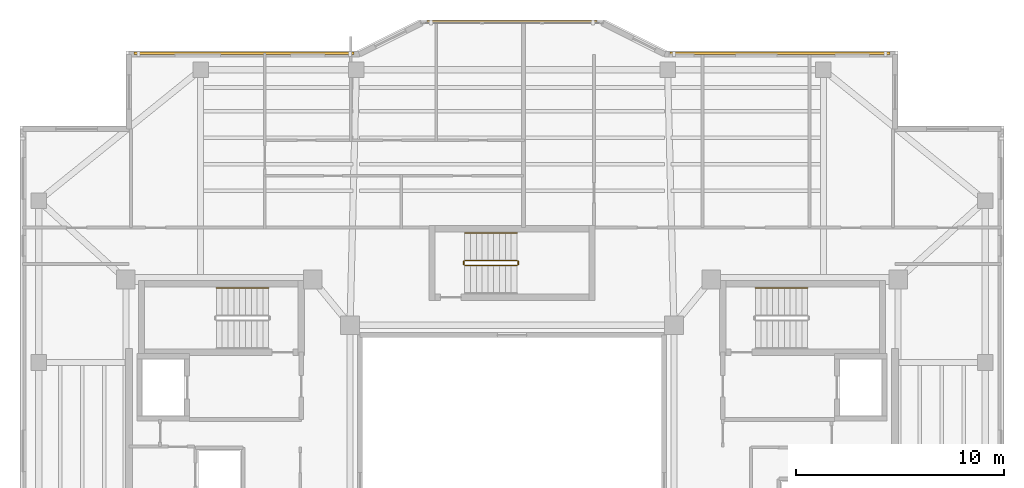
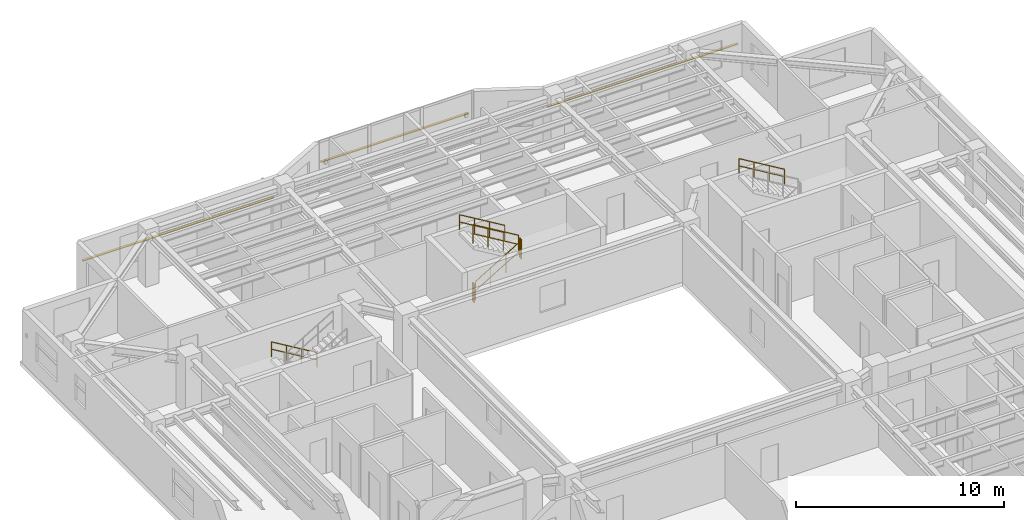
# One storey, part 13 of 13: 7 railings, 3 shading devices.
"""IFC4 building model written with IfcOpenShell, lengths in metres."""

from ifc_helpers import new_model, si_unit, direction, frame, origin, origin_2d, place, context, subcontext, project, spatial, rectangle, circle, extrude, material, material_profile, profile_set, type_object, element, save


model = new_model("IFC4")

# Units and contexts
model_context = context("Model", 3, precision=1e-05, world=origin(), true_north=direction((0.0, 1.0)))
body_context = subcontext(model_context, "Body", "Model", "MODEL_VIEW")
ifc_project = project(units=[si_unit("LENGTHUNIT", "METRE"), si_unit("AREAUNIT", "SQUARE_METRE"), si_unit("VOLUMEUNIT", "CUBIC_METRE"), si_unit("PLANEANGLEUNIT", "RADIAN"), si_unit("MASSUNIT", "GRAM", prefix="KILO")], contexts=[model_context])

# Site, building, storey
site_placement = place(None, origin())
site = spatial("IfcSite", under=ifc_project, at=site_placement, CompositionType="ELEMENT")
building_placement = place(site_placement, origin())
building = spatial("IfcBuilding", under=site, at=building_placement, Name="Tarnavaz Court Tower", CompositionType="ELEMENT")
storey_placement = place(building_placement, frame((0.0, 0.0, 196.949951171875)))
storey = spatial("IfcBuildingStorey", under=building, at=storey_placement, Name="L53", CompositionType="ELEMENT", Elevation=196.949951171875)

# Railings
ifc_material_1 = material(Name="Brushed Stainless Steel", Category="steel")
railing_type_1 = type_object("IfcRailingType", Name="RL-HANDRAIL-900", PredefinedType="HANDRAIL", material=ifc_material_1)
for number, where, name in (
    (1, (-11.719970703125, 9.590087890625, 0.16748046875), "L53 ST-W1 stair handrail 1"),
    (2, (14.239990234375, 9.590087890625, 1.842529296875), "L53 ST-E1 stair handrail 2"),
    (3, (0.239990234375, 12.239990234375, 1.842529296875), "L53 ST-N1 stair handrail 2"),
):
    element("IfcRailing", number, at=place(storey_placement, frame(where)), inside=storey, type_object=railing_type_1, Name=name, PredefinedType="HANDRAIL", context=body_context, shape_type="SweptSolid", body=[
        extrude(circle(Radius=0.02392578125, at=origin_2d()), frame((0.0, 0.0, 0.8759765625), z_axis=(-0.858159760407, 0.0, 0.513382728203), x_axis=(0.0, -1.0, 0.0)), (0.0, 0.0, 1.0), 2.9365234375),
        extrude(circle(Radius=0.02392578125, at=origin_2d()), frame((0.0, 0.0, 0.449951171875), z_axis=(-0.858159760407, 0.0, 0.513382728203), x_axis=(0.0, -1.0, 0.0)), (0.0, 0.0, 1.0), 2.9365234375),
        extrude(circle(Radius=0.02099609375, at=origin_2d()), origin(), (0.0, 0.0, 1.0), 0.851806640625),
        extrude(circle(Radius=0.02099609375, at=origin_2d()), frame((-0.840087890625, 0.0, 0.50244140625)), (0.0, 0.0, 1.0), 0.851806640625),
        extrude(circle(Radius=0.02099609375, at=origin_2d()), frame((-1.679931640625, 0.0, 1.005126953125)), (0.0, 0.0, 1.0), 0.851806640625),
        extrude(circle(Radius=0.02099609375, at=origin_2d()), frame((-2.52001953125, 0.0, 1.507568359375)), (0.0, 0.0, 1.0), 0.851806640625),
    ])
ifc_material_2 = material(Name="Galvanized Painted Tubular Steel", Category="steel")
railing_type_2 = type_object("IfcRailingType", Name="RL-STGUARD-1120", PredefinedType="GUARDRAIL", material=ifc_material_2)
railing_1_placement = place(storey_placement, frame((-2.280029296875, 10.669921875, 0.16748046875)))
element("IfcRailing", 4, at=railing_1_placement, inside=storey, type_object=railing_type_2, Name="L53 ST-N1 stair guard 1", PredefinedType="GUARDRAIL", context=body_context, shape_type="SweptSolid", body=[
    extrude(circle(Radius=0.02392578125, at=origin_2d()), frame((0.0, 0.0, 1.09619140625), z_axis=(0.858159760407, 0.0, 0.513382728203), x_axis=(0.0, 1.0, 0.0)), (0.0, 0.0, 1.0), 2.9365234375),
    extrude(circle(Radius=0.02392578125, at=origin_2d()), frame((0.0, 0.0, 0.56005859375), z_axis=(0.858159760407, 0.0, 0.513382728203), x_axis=(0.0, 1.0, 0.0)), (0.0, 0.0, 1.0), 2.9365234375),
    extrude(circle(Radius=0.02099609375, at=origin_2d()), origin(), (0.0, 0.0, 1.0), 1.072021484375),
    extrude(circle(Radius=0.02099609375, at=origin_2d()), frame((0.840087890625, 0.0, 0.50244140625)), (0.0, 0.0, 1.0), 1.072021484375),
    extrude(circle(Radius=0.02099609375, at=origin_2d()), frame((1.679931640625, 0.0, 1.005126953125)), (0.0, 0.0, 1.0), 1.072021484375),
    extrude(circle(Radius=0.02099609375, at=origin_2d()), frame((2.52001953125, 0.0, 1.507568359375)), (0.0, 0.0, 1.0), 1.072021484375),
])
railing_2_placement = place(storey_placement, frame((0.2900390625, 10.719970703125, 1.675048828125)))
element("IfcRailing", 5, at=railing_2_placement, inside=storey, type_object=railing_type_2, Name="L53 ST-N1 stair guard 2", PredefinedType="GUARDRAIL", context=body_context, shape_type="SweptSolid", body=[
    extrude(circle(Radius=0.02392578125, at=origin_2d()), frame((0.0, 0.0, 1.09619140625), z_axis=(0.0, 1.0, 0.0), x_axis=(-1.0, 0.0, 0.0)), (0.0, 0.0, 1.0), 0.150146484375),
    extrude(circle(Radius=0.02392578125, at=origin_2d()), frame((0.0, 0.0, 0.56005859375), z_axis=(0.0, 1.0, 0.0), x_axis=(-1.0, 0.0, 0.0)), (0.0, 0.0, 1.0), 0.150146484375),
    extrude(circle(Radius=0.02099609375, at=origin_2d()), origin(), (0.0, 0.0, 1.0), 1.072021484375),
    extrude(circle(Radius=0.02099609375, at=origin_2d()), frame((0.0, 0.150146484375, 0.0)), (0.0, 0.0, 1.0), 1.072021484375),
])
railing_3_placement = place(storey_placement, frame((0.239990234375, 10.919921875, 1.842529296875)))
element("IfcRailing", 6, at=railing_3_placement, inside=storey, type_object=railing_type_2, Name="L53 ST-N1 stair guard 3", PredefinedType="GUARDRAIL", context=body_context, shape_type="SweptSolid", body=[
    extrude(circle(Radius=0.02392578125, at=origin_2d()), frame((0.0, 0.0, 1.09619140625), z_axis=(-0.858159760407, 0.0, 0.513382728203), x_axis=(0.0, -1.0, 0.0)), (0.0, 0.0, 1.0), 2.9365234375),
    extrude(circle(Radius=0.02392578125, at=origin_2d()), frame((0.0, 0.0, 0.56005859375), z_axis=(-0.858159760407, 0.0, 0.513382728203), x_axis=(0.0, -1.0, 0.0)), (0.0, 0.0, 1.0), 2.9365234375),
    extrude(circle(Radius=0.02099609375, at=origin_2d()), origin(), (0.0, 0.0, 1.0), 1.072021484375),
    extrude(circle(Radius=0.02099609375, at=origin_2d()), frame((-0.840087890625, 0.0, 0.50244140625)), (0.0, 0.0, 1.0), 1.072021484375),
    extrude(circle(Radius=0.02099609375, at=origin_2d()), frame((-1.679931640625, 0.0, 1.005126953125)), (0.0, 0.0, 1.0), 1.072021484375),
    extrude(circle(Radius=0.02099609375, at=origin_2d()), frame((-2.52001953125, 0.0, 1.507568359375)), (0.0, 0.0, 1.0), 1.072021484375),
])
railing_4_placement = place(storey_placement, frame((-2.330078125, 10.719970703125, 0.0)))
element("IfcRailing", 7, at=railing_4_placement, inside=storey, type_object=railing_type_2, Name="L53 ST-N1 stair guard 4", PredefinedType="GUARDRAIL", context=body_context, shape_type="SweptSolid", body=[
    extrude(circle(Radius=0.02392578125, at=origin_2d()), frame((0.0, 0.0, 1.09619140625), z_axis=(0.0, 1.0, 0.0), x_axis=(-1.0, 0.0, 0.0)), (0.0, 0.0, 1.0), 0.150146484375),
    extrude(circle(Radius=0.02392578125, at=origin_2d()), frame((0.0, 0.0, 0.56005859375), z_axis=(0.0, 1.0, 0.0), x_axis=(-1.0, 0.0, 0.0)), (0.0, 0.0, 1.0), 0.150146484375),
    extrude(circle(Radius=0.02099609375, at=origin_2d()), origin(), (0.0, 0.0, 1.0), 1.072021484375),
    extrude(circle(Radius=0.02099609375, at=origin_2d()), frame((0.0, 0.150146484375, 0.0)), (0.0, 0.0, 1.0), 1.072021484375),
])

# Shading devices
ifc_material_3 = material(Name="Kiln-Fired Khorasan Terracotta Ceramic", Category="masonry")
ifc_material_profile = material_profile(ifc_material_3, rectangle(XDim=0.1201171875, YDim=0.06005859375, at=origin_2d()), Name="TC BAGUETTE 120X60")
ifc_profile_set = profile_set([ifc_material_profile], Name="Kiln-Fired Khorasan Terracotta Ceramic")
shading_device_type = type_object("IfcShadingDeviceType", Name="SD-BAG-120", PredefinedType="USERDEFINED", material=ifc_profile_set)
shading_device_1_placement = place(storey_placement, frame((-18.199951171875, 20.909912109375, 1.85009765625), z_axis=(1.0, 0.0, 0.0), x_axis=(0.0, 1.0, 0.0)))
element("IfcShadingDevice", 8, at=shading_device_1_placement, inside=storey, type_object=shading_device_type, Name="L53 Terracotta Baguette Screen FBG05", ObjectType="BAGUETTE", PredefinedType="USERDEFINED", context=body_context, shape_type="SweptSolid", body=[
    extrude(rectangle(XDim=0.1201171875, YDim=0.06005859375, at=origin_2d()), origin(), (0.0, 0.0, 1.0), 10.599853515625),
])
shading_device_2_placement = place(storey_placement, frame((-4.10009765625, 22.409912109375, 1.800048828125), z_axis=(1.0, 0.0, 0.0), x_axis=(0.0, 1.0, 0.0)))
element("IfcShadingDevice", 9, at=shading_device_2_placement, inside=storey, type_object=shading_device_type, Name="L53 Terracotta Baguette Screen PBG7", ObjectType="BAGUETTE", PredefinedType="USERDEFINED", context=body_context, shape_type="SweptSolid", body=[
    extrude(rectangle(XDim=0.1201171875, YDim=0.06005859375, at=origin_2d()), origin(), (0.0, 0.0, 1.0), 8.2001953125),
])
shading_device_3_placement = place(storey_placement, frame((7.60009765625, 20.909912109375, 1.85009765625), z_axis=(1.0, 0.0, 0.0), x_axis=(0.0, 1.0, 0.0)))
element("IfcShadingDevice", 10, at=shading_device_3_placement, inside=storey, type_object=shading_device_type, Name="L53 Terracotta Baguette Screen FBG09", ObjectType="BAGUETTE", PredefinedType="USERDEFINED", context=body_context, shape_type="SweptSolid", body=[
    extrude(rectangle(XDim=0.1201171875, YDim=0.06005859375, at=origin_2d()), origin(), (0.0, 0.0, 1.0), 10.599853515625),
])

save(model, "model.ifc")
